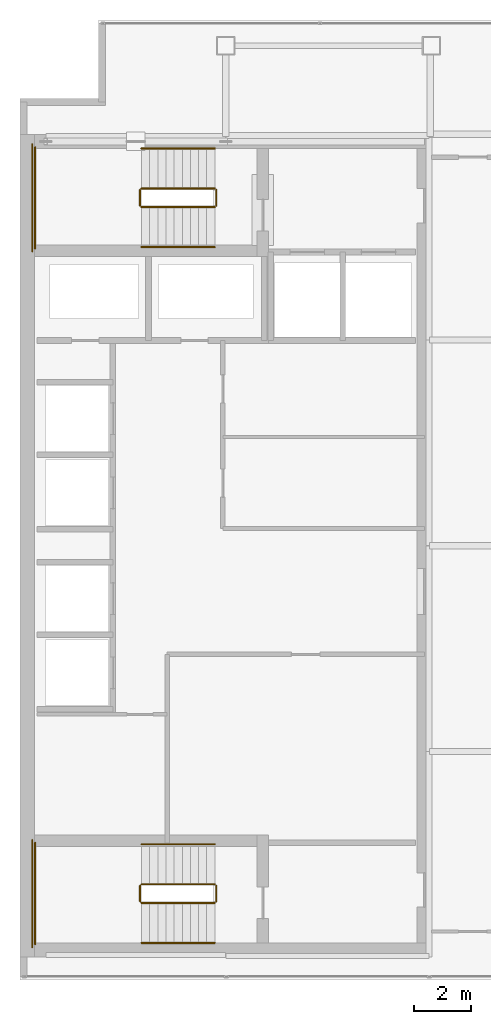
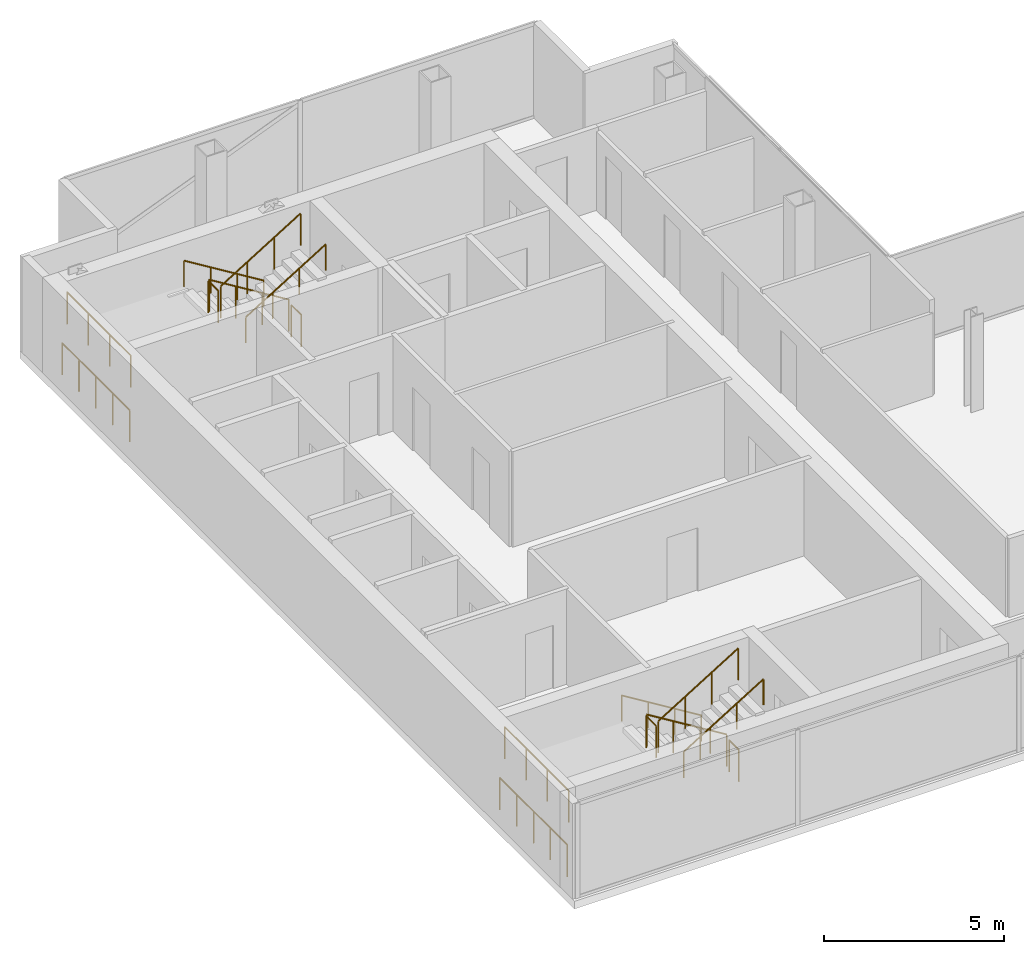
# One storey, part 24 of 24: 16 railings.
"""IFC4 building model written with IfcOpenShell, lengths in metres."""

from ifc_helpers import new_model, si_unit, direction, frame, origin, origin_2d, place, context, subcontext, project, spatial, circle, extrude, material, type_object, element, save


model = new_model("IFC4")

# Units and contexts
model_context = context("Model", 3, precision=1e-05, world=origin(), true_north=direction((0.0, 1.0)))
body_context = subcontext(model_context, "Body", "Model", "MODEL_VIEW")
ifc_project = project(units=[si_unit("LENGTHUNIT", "METRE"), si_unit("AREAUNIT", "SQUARE_METRE"), si_unit("VOLUMEUNIT", "CUBIC_METRE"), si_unit("PLANEANGLEUNIT", "RADIAN"), si_unit("MASSUNIT", "GRAM", prefix="KILO")], contexts=[model_context])

# Site, building, storey
site_placement = place(None, origin())
site = spatial("IfcSite", under=ifc_project, at=site_placement, CompositionType="ELEMENT")
building_placement = place(site_placement, origin())
building = spatial("IfcBuilding", under=site, at=building_placement, Name="Cobrela Telecom Tower", CompositionType="ELEMENT")
storey_placement = place(building_placement, frame((0.0, 0.0, 248.14990234375)))
storey = spatial("IfcBuildingStorey", under=building, at=storey_placement, Name="L64", CompositionType="ELEMENT", Elevation=248.14990234375)

# Railings
ifc_material = material(Name="Steel ASTM A36", Category="steel")
railing_type_1 = type_object("IfcRailingType", Name="RAIL-GUARD-1100", PredefinedType="GUARDRAIL", material=ifc_material)
railing_1_placement = place(storey_placement, frame((6.820068359375, 34.10009765625, 0.175048828125)))
element("IfcRailing", 1, at=railing_1_placement, inside=storey, type_object=railing_type_1, Name="L64 ST1 stair guard 1", PredefinedType="GUARDRAIL", context=body_context, shape_type="SweptSolid", body=[
    extrude(circle(Radius=0.02392578125, at=origin_2d()), frame((0.0, 0.0, 1.076171875), z_axis=(-0.852195335862, 0.0, 0.523223766217), x_axis=(0.0, -1.0, 0.0)), (0.0, 0.0, 1.0), 3.010009765625),
    extrude(circle(Radius=0.02099609375, at=origin_2d()), origin(), (0.0, 0.0, 1.0), 1.052001953125),
    extrude(circle(Radius=0.02099609375, at=origin_2d()), frame((-0.85498046875, 0.0, 0.52490234375)), (0.0, 0.0, 1.0), 1.052001953125),
    extrude(circle(Radius=0.02099609375, at=origin_2d()), frame((-1.710205078125, 0.0, 1.050048828125)), (0.0, 0.0, 1.0), 1.052001953125),
    extrude(circle(Radius=0.02099609375, at=origin_2d()), frame((-2.565185546875, 0.0, 1.574951171875)), (0.0, 0.0, 1.0), 1.052001953125),
])
railing_2_placement = place(storey_placement, frame((4.205078125, 34.050048828125, 1.75)))
element("IfcRailing", 2, at=railing_2_placement, inside=storey, type_object=railing_type_1, Name="L64 ST1 stair guard 2", PredefinedType="GUARDRAIL", context=body_context, shape_type="SweptSolid", body=[
    extrude(circle(Radius=0.02392578125, at=origin_2d()), frame((0.0, 0.0, 1.076171875), z_axis=(0.0, -1.0, 0.0), x_axis=(1.0, 0.0, 0.0)), (0.0, 0.0, 1.0), 0.550048828125),
    extrude(circle(Radius=0.02099609375, at=origin_2d()), origin(), (0.0, 0.0, 1.0), 1.052001953125),
    extrude(circle(Radius=0.02099609375, at=origin_2d()), frame((0.0, -0.550048828125, 0.0)), (0.0, 0.0, 1.0), 1.052001953125),
])
railing_3_placement = place(storey_placement, frame((0.530029296875, 35.550048828125, 1.75)))
element("IfcRailing", 3, at=railing_3_placement, inside=storey, type_object=railing_type_1, Name="L64 ST1 stair guard 3", PredefinedType="GUARDRAIL", context=body_context, shape_type="SweptSolid", body=[
    extrude(circle(Radius=0.02392578125, at=origin_2d()), frame((0.0, 0.0, 1.076171875), z_axis=(0.0, -1.0, 0.0), x_axis=(1.0, 0.0, 0.0)), (0.0, 0.0, 1.0), 3.550048828125),
    extrude(circle(Radius=0.02099609375, at=origin_2d()), origin(), (0.0, 0.0, 1.0), 1.052001953125),
    extrude(circle(Radius=0.02099609375, at=origin_2d()), frame((0.0, -1.183349609375, 0.0)), (0.0, 0.0, 1.0), 1.052001953125),
    extrude(circle(Radius=0.02099609375, at=origin_2d()), frame((0.0, -2.36669921875, 0.0)), (0.0, 0.0, 1.0), 1.052001953125),
    extrude(circle(Radius=0.02099609375, at=origin_2d()), frame((0.0, -3.550048828125, 0.0)), (0.0, 0.0, 1.0), 1.052001953125),
])
railing_4_placement = place(storey_placement, frame((4.2548828125, 33.449951171875, 1.925048828125)))
element("IfcRailing", 4, at=railing_4_placement, inside=storey, type_object=railing_type_1, Name="L64 ST1 stair guard 4", PredefinedType="GUARDRAIL", context=body_context, shape_type="SweptSolid", body=[
    extrude(circle(Radius=0.02392578125, at=origin_2d()), frame((0.0, 0.0, 1.076171875), z_axis=(0.852195335862, 0.0, 0.523223766217), x_axis=(0.0, 1.0, 0.0)), (0.0, 0.0, 1.0), 3.010009765625),
    extrude(circle(Radius=0.02099609375, at=origin_2d()), origin(), (0.0, 0.0, 1.0), 1.052001953125),
    extrude(circle(Radius=0.02099609375, at=origin_2d()), frame((0.85498046875, 0.0, 0.52490234375)), (0.0, 0.0, 1.0), 1.052001953125),
    extrude(circle(Radius=0.02099609375, at=origin_2d()), frame((1.710205078125, 0.0, 1.050048828125)), (0.0, 0.0, 1.0), 1.052001953125),
    extrude(circle(Radius=0.02099609375, at=origin_2d()), frame((2.565185546875, 0.0, 1.574951171875)), (0.0, 0.0, 1.0), 1.052001953125),
])
railing_5_placement = place(storey_placement, frame((6.8701171875, 34.050048828125, 0.0)))
element("IfcRailing", 5, at=railing_5_placement, inside=storey, type_object=railing_type_1, Name="L64 ST1 stair guard 5", PredefinedType="GUARDRAIL", context=body_context, shape_type="SweptSolid", body=[
    extrude(circle(Radius=0.02392578125, at=origin_2d()), frame((0.0, 0.0, 1.076171875), z_axis=(0.0, -1.0, 0.0), x_axis=(1.0, 0.0, 0.0)), (0.0, 0.0, 1.0), 0.550048828125),
    extrude(circle(Radius=0.02099609375, at=origin_2d()), origin(), (0.0, 0.0, 1.0), 1.052001953125),
    extrude(circle(Radius=0.02099609375, at=origin_2d()), frame((0.0, -0.550048828125, 0.0)), (0.0, 0.0, 1.0), 1.052001953125),
])
railing_6_placement = place(storey_placement, frame((0.429931640625, 35.64990234375, 0.0)))
element("IfcRailing", 6, at=railing_6_placement, inside=storey, type_object=railing_type_1, Name="L64 ST1 stair guard 6", PredefinedType="GUARDRAIL", context=body_context, shape_type="SweptSolid", body=[
    extrude(circle(Radius=0.02392578125, at=origin_2d()), frame((0.0, 0.0, 1.076171875), z_axis=(0.0, -1.0, 0.0), x_axis=(1.0, 0.0, 0.0)), (0.0, 0.0, 1.0), 3.75),
    extrude(circle(Radius=0.02099609375, at=origin_2d()), origin(), (0.0, 0.0, 1.0), 1.052001953125),
    extrude(circle(Radius=0.02099609375, at=origin_2d()), frame((0.0, -0.9375, 0.0)), (0.0, 0.0, 1.0), 1.052001953125),
    extrude(circle(Radius=0.02099609375, at=origin_2d()), frame((0.0, -1.875, 0.0)), (0.0, 0.0, 1.0), 1.052001953125),
    extrude(circle(Radius=0.02099609375, at=origin_2d()), frame((0.0, -2.8125, 0.0)), (0.0, 0.0, 1.0), 1.052001953125),
    extrude(circle(Radius=0.02099609375, at=origin_2d()), frame((0.0, -3.75, 0.0)), (0.0, 0.0, 1.0), 1.052001953125),
])
railing_7_placement = place(storey_placement, frame((6.820068359375, 9.75, 0.175048828125)))
element("IfcRailing", 7, at=railing_7_placement, inside=storey, type_object=railing_type_1, Name="L64 ST2 stair guard 1", PredefinedType="GUARDRAIL", context=body_context, shape_type="SweptSolid", body=[
    extrude(circle(Radius=0.02392578125, at=origin_2d()), frame((0.0, 0.0, 1.076171875), z_axis=(-0.852195335862, 0.0, 0.523223766217), x_axis=(0.0, -1.0, 0.0)), (0.0, 0.0, 1.0), 3.010009765625),
    extrude(circle(Radius=0.02099609375, at=origin_2d()), origin(), (0.0, 0.0, 1.0), 1.052001953125),
    extrude(circle(Radius=0.02099609375, at=origin_2d()), frame((-0.85498046875, 0.0, 0.52490234375)), (0.0, 0.0, 1.0), 1.052001953125),
    extrude(circle(Radius=0.02099609375, at=origin_2d()), frame((-1.710205078125, 0.0, 1.050048828125)), (0.0, 0.0, 1.0), 1.052001953125),
    extrude(circle(Radius=0.02099609375, at=origin_2d()), frame((-2.565185546875, 0.0, 1.574951171875)), (0.0, 0.0, 1.0), 1.052001953125),
])
railing_8_placement = place(storey_placement, frame((4.205078125, 9.699951171875, 1.75)))
element("IfcRailing", 8, at=railing_8_placement, inside=storey, type_object=railing_type_1, Name="L64 ST2 stair guard 2", PredefinedType="GUARDRAIL", context=body_context, shape_type="SweptSolid", body=[
    extrude(circle(Radius=0.02392578125, at=origin_2d()), frame((0.0, 0.0, 1.076171875), z_axis=(0.0, -1.0, 0.0), x_axis=(1.0, 0.0, 0.0)), (0.0, 0.0, 1.0), 0.550048828125),
    extrude(circle(Radius=0.02099609375, at=origin_2d()), origin(), (0.0, 0.0, 1.0), 1.052001953125),
    extrude(circle(Radius=0.02099609375, at=origin_2d()), frame((0.0, -0.550048828125, 0.0)), (0.0, 0.0, 1.0), 1.052001953125),
])
railing_9_placement = place(storey_placement, frame((0.530029296875, 11.199951171875, 1.75)))
element("IfcRailing", 9, at=railing_9_placement, inside=storey, type_object=railing_type_1, Name="L64 ST2 stair guard 3", PredefinedType="GUARDRAIL", context=body_context, shape_type="SweptSolid", body=[
    extrude(circle(Radius=0.02392578125, at=origin_2d()), frame((0.0, 0.0, 1.076171875), z_axis=(0.0, -1.0, 0.0), x_axis=(1.0, 0.0, 0.0)), (0.0, 0.0, 1.0), 3.550048828125),
    extrude(circle(Radius=0.02099609375, at=origin_2d()), origin(), (0.0, 0.0, 1.0), 1.052001953125),
    extrude(circle(Radius=0.02099609375, at=origin_2d()), frame((0.0, -1.183349609375, 0.0)), (0.0, 0.0, 1.0), 1.052001953125),
    extrude(circle(Radius=0.02099609375, at=origin_2d()), frame((0.0, -2.36669921875, 0.0)), (0.0, 0.0, 1.0), 1.052001953125),
    extrude(circle(Radius=0.02099609375, at=origin_2d()), frame((0.0, -3.550048828125, 0.0)), (0.0, 0.0, 1.0), 1.052001953125),
])
railing_10_placement = place(storey_placement, frame((4.2548828125, 9.10009765625, 1.925048828125)))
element("IfcRailing", 10, at=railing_10_placement, inside=storey, type_object=railing_type_1, Name="L64 ST2 stair guard 4", PredefinedType="GUARDRAIL", context=body_context, shape_type="SweptSolid", body=[
    extrude(circle(Radius=0.02392578125, at=origin_2d()), frame((0.0, 0.0, 1.076171875), z_axis=(0.852195335862, 0.0, 0.523223766217), x_axis=(0.0, 1.0, 0.0)), (0.0, 0.0, 1.0), 3.010009765625),
    extrude(circle(Radius=0.02099609375, at=origin_2d()), origin(), (0.0, 0.0, 1.0), 1.052001953125),
    extrude(circle(Radius=0.02099609375, at=origin_2d()), frame((0.85498046875, 0.0, 0.52490234375)), (0.0, 0.0, 1.0), 1.052001953125),
    extrude(circle(Radius=0.02099609375, at=origin_2d()), frame((1.710205078125, 0.0, 1.050048828125)), (0.0, 0.0, 1.0), 1.052001953125),
    extrude(circle(Radius=0.02099609375, at=origin_2d()), frame((2.565185546875, 0.0, 1.574951171875)), (0.0, 0.0, 1.0), 1.052001953125),
])
railing_11_placement = place(storey_placement, frame((6.8701171875, 9.699951171875, 0.0)))
element("IfcRailing", 11, at=railing_11_placement, inside=storey, type_object=railing_type_1, Name="L64 ST2 stair guard 5", PredefinedType="GUARDRAIL", context=body_context, shape_type="SweptSolid", body=[
    extrude(circle(Radius=0.02392578125, at=origin_2d()), frame((0.0, 0.0, 1.076171875), z_axis=(0.0, -1.0, 0.0), x_axis=(1.0, 0.0, 0.0)), (0.0, 0.0, 1.0), 0.550048828125),
    extrude(circle(Radius=0.02099609375, at=origin_2d()), origin(), (0.0, 0.0, 1.0), 1.052001953125),
    extrude(circle(Radius=0.02099609375, at=origin_2d()), frame((0.0, -0.550048828125, 0.0)), (0.0, 0.0, 1.0), 1.052001953125),
])
railing_12_placement = place(storey_placement, frame((0.429931640625, 11.300048828125, 0.0)))
element("IfcRailing", 12, at=railing_12_placement, inside=storey, type_object=railing_type_1, Name="L64 ST2 stair guard 6", PredefinedType="GUARDRAIL", context=body_context, shape_type="SweptSolid", body=[
    extrude(circle(Radius=0.02392578125, at=origin_2d()), frame((0.0, 0.0, 1.076171875), z_axis=(0.0, -1.0, 0.0), x_axis=(1.0, 0.0, 0.0)), (0.0, 0.0, 1.0), 3.75),
    extrude(circle(Radius=0.02099609375, at=origin_2d()), origin(), (0.0, 0.0, 1.0), 1.052001953125),
    extrude(circle(Radius=0.02099609375, at=origin_2d()), frame((0.0, -0.9375, 0.0)), (0.0, 0.0, 1.0), 1.052001953125),
    extrude(circle(Radius=0.02099609375, at=origin_2d()), frame((0.0, -1.875, 0.0)), (0.0, 0.0, 1.0), 1.052001953125),
    extrude(circle(Radius=0.02099609375, at=origin_2d()), frame((0.0, -2.8125, 0.0)), (0.0, 0.0, 1.0), 1.052001953125),
    extrude(circle(Radius=0.02099609375, at=origin_2d()), frame((0.0, -3.75, 0.0)), (0.0, 0.0, 1.0), 1.052001953125),
])
railing_type_2 = type_object("IfcRailingType", Name="RAIL-HAND-920", PredefinedType="HANDRAIL", material=ifc_material)
railing_13_placement = place(storey_placement, frame((6.820068359375, 35.5, 0.175048828125)))
element("IfcRailing", 13, at=railing_13_placement, inside=storey, type_object=railing_type_2, Name="L64 ST1 stair handrail 1", PredefinedType="HANDRAIL", context=body_context, shape_type="SweptSolid", body=[
    extrude(circle(Radius=0.02392578125, at=origin_2d()), frame((0.0, 0.0, 0.8759765625), z_axis=(-0.852195335862, 0.0, 0.523223766217), x_axis=(0.0, -1.0, 0.0)), (0.0, 0.0, 1.0), 3.010009765625),
    extrude(circle(Radius=0.02099609375, at=origin_2d()), origin(), (0.0, 0.0, 1.0), 0.851806640625),
    extrude(circle(Radius=0.02099609375, at=origin_2d()), frame((-0.85498046875, 0.0, 0.52490234375)), (0.0, 0.0, 1.0), 0.851806640625),
    extrude(circle(Radius=0.02099609375, at=origin_2d()), frame((-1.710205078125, 0.0, 1.050048828125)), (0.0, 0.0, 1.0), 0.851806640625),
    extrude(circle(Radius=0.02099609375, at=origin_2d()), frame((-2.565185546875, 0.0, 1.574951171875)), (0.0, 0.0, 1.0), 0.851806640625),
])
railing_14_placement = place(storey_placement, frame((4.2548828125, 32.050048828125, 1.925048828125)))
element("IfcRailing", 14, at=railing_14_placement, inside=storey, type_object=railing_type_2, Name="L64 ST1 stair handrail 2", PredefinedType="HANDRAIL", context=body_context, shape_type="SweptSolid", body=[
    extrude(circle(Radius=0.02392578125, at=origin_2d()), frame((0.0, 0.0, 0.8759765625), z_axis=(0.852195335862, 0.0, 0.523223766217), x_axis=(0.0, 1.0, 0.0)), (0.0, 0.0, 1.0), 3.010009765625),
    extrude(circle(Radius=0.02099609375, at=origin_2d()), origin(), (0.0, 0.0, 1.0), 0.851806640625),
    extrude(circle(Radius=0.02099609375, at=origin_2d()), frame((0.85498046875, 0.0, 0.52490234375)), (0.0, 0.0, 1.0), 0.851806640625),
    extrude(circle(Radius=0.02099609375, at=origin_2d()), frame((1.710205078125, 0.0, 1.050048828125)), (0.0, 0.0, 1.0), 0.851806640625),
    extrude(circle(Radius=0.02099609375, at=origin_2d()), frame((2.565185546875, 0.0, 1.574951171875)), (0.0, 0.0, 1.0), 0.851806640625),
])
railing_15_placement = place(storey_placement, frame((6.820068359375, 11.14990234375, 0.175048828125)))
element("IfcRailing", 15, at=railing_15_placement, inside=storey, type_object=railing_type_2, Name="L64 ST2 stair handrail 1", PredefinedType="HANDRAIL", context=body_context, shape_type="SweptSolid", body=[
    extrude(circle(Radius=0.02392578125, at=origin_2d()), frame((0.0, 0.0, 0.8759765625), z_axis=(-0.852195335862, 0.0, 0.523223766217), x_axis=(0.0, -1.0, 0.0)), (0.0, 0.0, 1.0), 3.010009765625),
    extrude(circle(Radius=0.02099609375, at=origin_2d()), origin(), (0.0, 0.0, 1.0), 0.851806640625),
    extrude(circle(Radius=0.02099609375, at=origin_2d()), frame((-0.85498046875, 0.0, 0.52490234375)), (0.0, 0.0, 1.0), 0.851806640625),
    extrude(circle(Radius=0.02099609375, at=origin_2d()), frame((-1.710205078125, 0.0, 1.050048828125)), (0.0, 0.0, 1.0), 0.851806640625),
    extrude(circle(Radius=0.02099609375, at=origin_2d()), frame((-2.565185546875, 0.0, 1.574951171875)), (0.0, 0.0, 1.0), 0.851806640625),
])
railing_16_placement = place(storey_placement, frame((4.2548828125, 7.699951171875, 1.925048828125)))
element("IfcRailing", 16, at=railing_16_placement, inside=storey, type_object=railing_type_2, Name="L64 ST2 stair handrail 2", PredefinedType="HANDRAIL", context=body_context, shape_type="SweptSolid", body=[
    extrude(circle(Radius=0.02392578125, at=origin_2d()), frame((0.0, 0.0, 0.8759765625), z_axis=(0.852195335862, 0.0, 0.523223766217), x_axis=(0.0, 1.0, 0.0)), (0.0, 0.0, 1.0), 3.010009765625),
    extrude(circle(Radius=0.02099609375, at=origin_2d()), origin(), (0.0, 0.0, 1.0), 0.851806640625),
    extrude(circle(Radius=0.02099609375, at=origin_2d()), frame((0.85498046875, 0.0, 0.52490234375)), (0.0, 0.0, 1.0), 0.851806640625),
    extrude(circle(Radius=0.02099609375, at=origin_2d()), frame((1.710205078125, 0.0, 1.050048828125)), (0.0, 0.0, 1.0), 0.851806640625),
    extrude(circle(Radius=0.02099609375, at=origin_2d()), frame((2.565185546875, 0.0, 1.574951171875)), (0.0, 0.0, 1.0), 0.851806640625),
])

save(model, "model.ifc")
